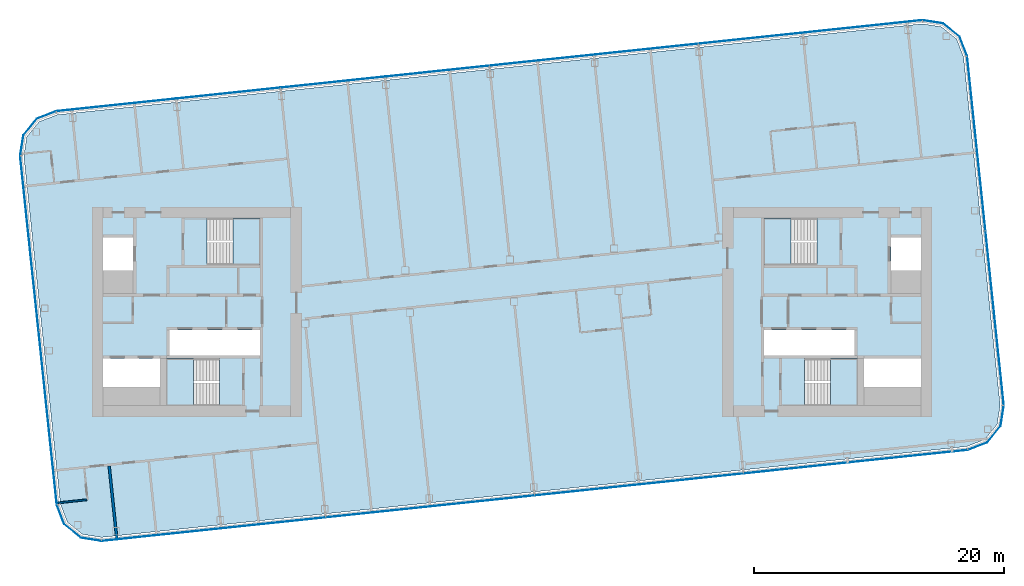
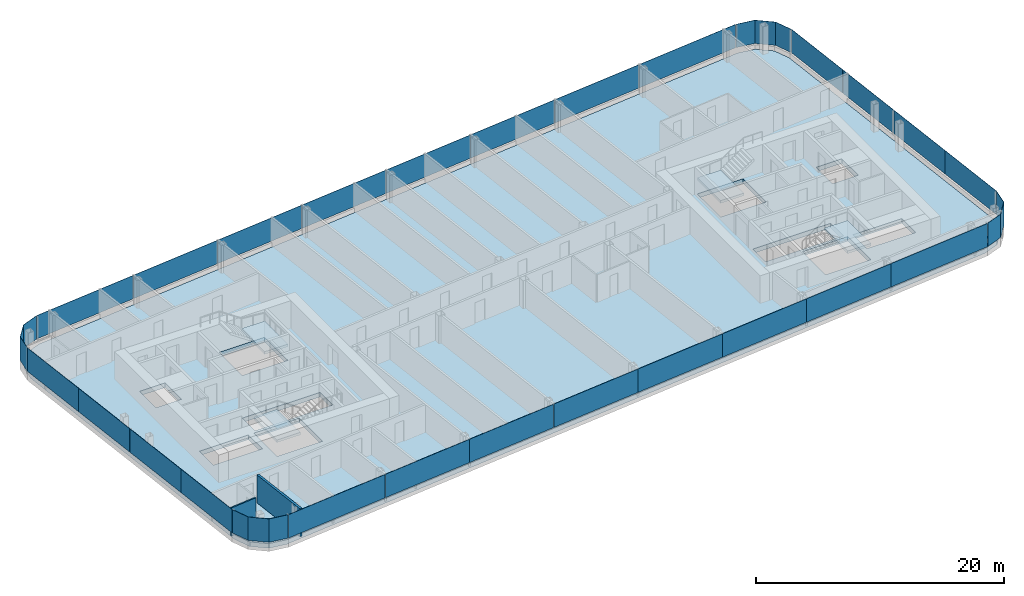
# One storey, part 13 of 27: 28 plates, 5 slabs, 2 walls, 12 elements without a shape of their own.
"""IFC4 building model written with IfcOpenShell, lengths in metres."""

from ifc_helpers import new_model, si_unit, direction, frame, frame_2d, origin, origin_2d, place, context, subcontext, project, spatial, polyline, rectangle, outline, extrude, material, layer, layer_set, type_object, element, aggregate, save


model = new_model("IFC4")

# Units and contexts
model_context = context("Model", 3, precision=1e-05, world=origin(), true_north=direction((0.0, 1.0)))
body_context = subcontext(model_context, "Body", "Model", "MODEL_VIEW")
ifc_project = project(units=[si_unit("LENGTHUNIT", "METRE"), si_unit("AREAUNIT", "SQUARE_METRE"), si_unit("VOLUMEUNIT", "CUBIC_METRE"), si_unit("PLANEANGLEUNIT", "RADIAN"), si_unit("MASSUNIT", "GRAM", prefix="KILO")], contexts=[model_context])

# Site, building, storey
site_placement = place(None, origin())
site = spatial("IfcSite", under=ifc_project, at=site_placement, CompositionType="ELEMENT")
building_placement = place(site_placement, origin())
building = spatial("IfcBuilding", under=site, at=building_placement, Name="Hakoniwa Tower and Hamabe Station Hall", CompositionType="ELEMENT")
storey_placement = place(building_placement, frame((0.0, 0.0, 239.0)))
storey = spatial("IfcBuildingStorey", under=building, at=storey_placement, Name="L67", CompositionType="ELEMENT", Elevation=239.0)

# Stair, slab
ifc_material_1 = material(Name="Concrete C40", Category="concrete")
stair_type = type_object("IfcStairType", Name="ESCAPE STAIR 1800", PredefinedType="HALF_TURN_STAIR", material=ifc_material_1)
stair_1_placement = place(storey_placement, origin())
stair_1 = element("IfcStair", 1, at=stair_1_placement, inside=storey, type_object=stair_type, Name="Escape stair ST-1 L67", PredefinedType="HALF_TURN_STAIR")
ifc_material_2 = material(Name="Concrete C40", Category="concrete")
ifc_layer_1 = layer(ifc_material_2, 0.25)
ifc_layer_set_1 = layer_set([ifc_layer_1], Name="CORE STAIR LANDING 250")
slab_type_1 = type_object("IfcSlabType", Name="CORE STAIR LANDING 250", PredefinedType="LANDING", material=ifc_layer_set_1)
slab_1_placement = place(storey_placement, frame((0.0, 0.0, 1.35009765625)))
slab_1 = element("IfcSlab", 2, at=slab_1_placement, type_object=slab_type_1, Name="ST-1 landing 1", PredefinedType="LANDING", context=body_context, shape_type="SweptSolid", body=[
    extrude(outline(polyline([(-22.320068359375, 3.75), (-20.14990234375, 3.75), (-20.14990234375, 7.5), (-22.320068359375, 7.5), (-22.320068359375, 3.75)])), origin(), (0.0, 0.0, 1.0), 0.25),
])
aggregate(stair_1, [slab_1])

stair_2_placement = place(storey_placement, origin())
stair_2 = element("IfcStair", 3, at=stair_2_placement, inside=storey, type_object=stair_type, Name="Escape stair ST-2 L67", PredefinedType="HALF_TURN_STAIR")
slab_2_placement = place(storey_placement, frame((0.0, 0.0, 1.35009765625)))
slab_2 = element("IfcSlab", 4, at=slab_2_placement, type_object=slab_type_1, Name="ST-2 landing 1", PredefinedType="LANDING", context=body_context, shape_type="SweptSolid", body=[
    extrude(outline(polyline([(-25.47998046875, -7.5), (-27.64990234375, -7.5), (-27.64990234375, -3.75), (-25.47998046875, -3.75), (-25.47998046875, -7.5)])), origin(), (0.0, 0.0, 1.0), 0.25),
])
aggregate(stair_2, [slab_2])

stair_3_placement = place(storey_placement, origin())
stair_3 = element("IfcStair", 5, at=stair_3_placement, inside=storey, type_object=stair_type, Name="Escape stair ST-3 L67", PredefinedType="HALF_TURN_STAIR")
slab_3_placement = place(storey_placement, frame((0.0, 0.0, 1.35009765625)))
slab_3 = element("IfcSlab", 6, at=slab_3_placement, type_object=slab_type_1, Name="ST-3 landing 1", PredefinedType="LANDING", context=body_context, shape_type="SweptSolid", body=[
    extrude(outline(polyline([(22.320068359375, 3.75), (20.14990234375, 3.75), (20.14990234375, 7.5), (22.320068359375, 7.5), (22.320068359375, 3.75)])), origin(), (0.0, 0.0, 1.0), 0.25),
])
aggregate(stair_3, [slab_3])

stair_4_placement = place(storey_placement, origin())
stair_4 = element("IfcStair", 7, at=stair_4_placement, inside=storey, type_object=stair_type, Name="Escape stair ST-4 L67", PredefinedType="HALF_TURN_STAIR")
slab_4_placement = place(storey_placement, frame((0.0, 0.0, 1.35009765625)))
slab_4 = element("IfcSlab", 8, at=slab_4_placement, type_object=slab_type_1, Name="ST-4 landing 1", PredefinedType="LANDING", context=body_context, shape_type="SweptSolid", body=[
    extrude(outline(polyline([(25.47998046875, -7.5), (27.64990234375, -7.5), (27.64990234375, -3.75), (25.47998046875, -3.75), (25.47998046875, -7.5)])), origin(), (0.0, 0.0, 1.0), 0.25),
])
aggregate(stair_4, [slab_4])

# Curtain wall, plates
ifc_material_3 = material(Name="Dark low-e laminated glass", Category="glass")
ifc_layer_2 = layer(ifc_material_3, 0.199951171875)
ifc_layer_set_2 = layer_set([ifc_layer_2], Name="CW-1 UNITISED GUEST")
curtain_wall_type = type_object("IfcCurtainWallType", Name="CW-1 UNITISED GUEST", PredefinedType="NOTDEFINED", material=ifc_layer_set_2)
curtain_wall_1_placement = place(storey_placement, origin())
curtain_wall_1 = element("IfcCurtainWall", 9, at=curtain_wall_1_placement, inside=storey, type_object=curtain_wall_type, Name="CW-1 curtain wall", PredefinedType="NOTDEFINED")
ifc_material_4 = material(Name="Dark low-e laminated glass", Category="glass")
ifc_layer_3 = layer(ifc_material_4, 0.028076171875)
ifc_layer_set_3 = layer_set([ifc_layer_3], Name="CW-1 GLASS UNIT")
plate_type = type_object("IfcPlateType", Name="CW-1 GLASS UNIT", PredefinedType="CURTAIN_PANEL", material=ifc_layer_set_3)
plate_1_placement = place(storey_placement, frame((38.97802734375, -3.990966796875, 0.35009765625), z_axis=(0.0, 0.0, 1.0), x_axis=(-0.104528468631, 0.994521894805, 0.0)))
plate_1 = element("IfcPlate", 10, at=plate_1_placement, type_object=plate_type, Name="CW-1 glass unit", PredefinedType="CURTAIN_PANEL", context=body_context, shape_type="SweptSolid", body=[
    extrude(rectangle(XDim=6.999755859375, YDim=0.028076171875, at=origin_2d()), origin(), (0.0, 0.0, 1.0), 2.300048828125),
])
plate_2_placement = place(storey_placement, frame((38.244140625, 2.990478515625, 0.35009765625), z_axis=(0.0, 0.0, 1.0), x_axis=(-0.104528468631, 0.994521894805, 0.0)))
plate_2 = element("IfcPlate", 11, at=plate_2_placement, type_object=plate_type, Name="CW-1 glass unit", PredefinedType="CURTAIN_PANEL", context=body_context, shape_type="SweptSolid", body=[
    extrude(rectangle(XDim=6.999755859375, YDim=0.028076171875, at=origin_2d()), origin(), (0.0, 0.0, 1.0), 2.300048828125),
])
plate_3_placement = place(storey_placement, frame((37.510498046875, 9.9716796875, 0.35009765625), z_axis=(0.0, 0.0, 1.0), x_axis=(-0.104528468631, 0.994521894805, 0.0)))
plate_3 = element("IfcPlate", 12, at=plate_3_placement, type_object=plate_type, Name="CW-1 glass unit", PredefinedType="CURTAIN_PANEL", context=body_context, shape_type="SweptSolid", body=[
    extrude(rectangle(XDim=6.999755859375, YDim=0.028076171875, at=origin_2d()), origin(), (0.0, 0.0, 1.0), 2.300048828125),
])
plate_4_placement = place(storey_placement, frame((36.776611328125, 16.953125, 0.35009765625), z_axis=(0.0, 0.0, 1.0), x_axis=(-0.104528468631, 0.994521894805, 0.0)))
plate_4 = element("IfcPlate", 13, at=plate_4_placement, type_object=plate_type, Name="CW-1 glass unit", PredefinedType="CURTAIN_PANEL", context=body_context, shape_type="SweptSolid", body=[
    extrude(rectangle(XDim=6.999755859375, YDim=0.028076171875, at=origin_2d()), origin(), (0.0, 0.0, 1.0), 2.300048828125),
])
aggregate(curtain_wall_1, [plate_1, plate_2, plate_3, plate_4])

# Curtain wall, plate
curtain_wall_2_placement = place(storey_placement, origin())
curtain_wall_2 = element("IfcCurtainWall", 14, at=curtain_wall_2_placement, inside=storey, type_object=curtain_wall_type, Name="CW-1 curtain wall", PredefinedType="NOTDEFINED")
plate_5_placement = place(storey_placement, frame((0.0, 0.0, 0.35009765625)))
plate_5 = element("IfcPlate", 15, at=plate_5_placement, type_object=plate_type, Name="CW-1 curved corner unit", PredefinedType="CURTAIN_PANEL", context=body_context, shape_type="SweptSolid", body=[
    extrude(outline(polyline([(36.409423828125, 20.482421875), (35.82421875, 22.0068359375), (34.492431640625, 23.085205078125), (32.8798828125, 23.340576171875), (32.87548828125, 23.31298828125), (34.480712890625, 23.058837890625), (35.80078125, 21.98974609375), (36.38330078125, 20.472412109375), (36.409423828125, 20.482421875)])), origin(), (0.0, 0.0, 1.0), 2.2998046875),
])
aggregate(curtain_wall_2, [plate_5])

# Curtain wall, plates
curtain_wall_3_placement = place(storey_placement, origin())
curtain_wall_3 = element("IfcCurtainWall", 16, at=curtain_wall_3_placement, inside=storey, type_object=curtain_wall_type, Name="CW-1 curtain wall", PredefinedType="NOTDEFINED")
plate_6_placement = place(storey_placement, frame((28.04833984375, 22.829345703125, 0.35009765625), z_axis=(0.0, 0.0, 1.0), x_axis=(-0.994521895272, -0.104528464188, 0.0)))
plate_6 = element("IfcPlate", 17, at=plate_6_placement, type_object=plate_type, Name="CW-1 glass unit", PredefinedType="CURTAIN_PANEL", context=body_context, shape_type="SweptSolid", body=[
    extrude(rectangle(XDim=9.619384765625, YDim=0.028076171875, at=origin_2d()), origin(), (0.0, 0.0, 1.0), 2.300048828125),
])
plate_7_placement = place(storey_placement, frame((19.078125, 21.886474609375, 0.35009765625), z_axis=(0.0, 0.0, 1.0), x_axis=(-0.994521895272, -0.104528464188, 0.0)))
plate_7 = element("IfcPlate", 18, at=plate_7_placement, type_object=plate_type, Name="CW-1 glass unit", PredefinedType="CURTAIN_PANEL", context=body_context, shape_type="SweptSolid", body=[
    extrude(rectangle(XDim=8.3798828125, YDim=0.028076171875, at=origin_2d()), origin(), (0.0, 0.0, 1.0), 2.300048828125),
])
plate_8_placement = place(storey_placement, frame((10.72412109375, 21.00830078125, 0.35009765625), z_axis=(0.0, 0.0, 1.0), x_axis=(-0.994521895272, -0.104528464188, 0.0)))
plate_8 = element("IfcPlate", 19, at=plate_8_placement, type_object=plate_type, Name="CW-1 glass unit", PredefinedType="CURTAIN_PANEL", context=body_context, shape_type="SweptSolid", body=[
    extrude(rectangle(XDim=8.3798828125, YDim=0.028076171875, at=origin_2d()), origin(), (0.0, 0.0, 1.0), 2.300048828125),
])
plate_9_placement = place(storey_placement, frame((2.3701171875, 20.13037109375, 0.35009765625), z_axis=(0.0, 0.0, 1.0), x_axis=(-0.994521895272, -0.104528464188, 0.0)))
plate_9 = element("IfcPlate", 20, at=plate_9_placement, type_object=plate_type, Name="CW-1 glass unit", PredefinedType="CURTAIN_PANEL", context=body_context, shape_type="SweptSolid", body=[
    extrude(rectangle(XDim=8.3798828125, YDim=0.028076171875, at=origin_2d()), origin(), (0.0, 0.0, 1.0), 2.300048828125),
])
plate_10_placement = place(storey_placement, frame((-5.98388671875, 19.252197265625, 0.35009765625), z_axis=(0.0, 0.0, 1.0), x_axis=(-0.994521895272, -0.104528464188, 0.0)))
plate_10 = element("IfcPlate", 21, at=plate_10_placement, type_object=plate_type, Name="CW-1 glass unit", PredefinedType="CURTAIN_PANEL", context=body_context, shape_type="SweptSolid", body=[
    extrude(rectangle(XDim=8.3798828125, YDim=0.028076171875, at=origin_2d()), origin(), (0.0, 0.0, 1.0), 2.300048828125),
])
plate_11_placement = place(storey_placement, frame((-14.337890625, 18.374267578125, 0.35009765625), z_axis=(0.0, 0.0, 1.0), x_axis=(-0.994521895272, -0.104528464188, 0.0)))
plate_11 = element("IfcPlate", 22, at=plate_11_placement, type_object=plate_type, Name="CW-1 glass unit", PredefinedType="CURTAIN_PANEL", context=body_context, shape_type="SweptSolid", body=[
    extrude(rectangle(XDim=8.3798828125, YDim=0.028076171875, at=origin_2d()), origin(), (0.0, 0.0, 1.0), 2.300048828125),
])
plate_12_placement = place(storey_placement, frame((-22.69189453125, 17.49609375, 0.35009765625), z_axis=(0.0, 0.0, 1.0), x_axis=(-0.994521895272, -0.104528464188, 0.0)))
plate_12 = element("IfcPlate", 23, at=plate_12_placement, type_object=plate_type, Name="CW-1 glass unit", PredefinedType="CURTAIN_PANEL", context=body_context, shape_type="SweptSolid", body=[
    extrude(rectangle(XDim=8.3798828125, YDim=0.028076171875, at=origin_2d()), origin(), (0.0, 0.0, 1.0), 2.300048828125),
])
plate_13_placement = place(storey_placement, frame((-31.662109375, 16.553466796875, 0.35009765625), z_axis=(0.0, 0.0, 1.0), x_axis=(-0.994521895272, -0.104528464188, 0.0)))
plate_13 = element("IfcPlate", 24, at=plate_13_placement, type_object=plate_type, Name="CW-1 glass unit", PredefinedType="CURTAIN_PANEL", context=body_context, shape_type="SweptSolid", body=[
    extrude(rectangle(XDim=9.619384765625, YDim=0.028076171875, at=origin_2d()), origin(), (0.0, 0.0, 1.0), 2.300048828125),
])
aggregate(curtain_wall_3, [plate_6, plate_7, plate_8, plate_9, plate_10, plate_11, plate_12, plate_13])

# Curtain wall, plate
curtain_wall_4_placement = place(storey_placement, origin())
curtain_wall_4 = element("IfcCurtainWall", 25, at=curtain_wall_4_placement, inside=storey, type_object=curtain_wall_type, Name="CW-1 curtain wall", PredefinedType="NOTDEFINED")
plate_14_placement = place(storey_placement, frame((0.0, 0.0, 0.35009765625)))
plate_14 = element("IfcPlate", 26, at=plate_14_placement, type_object=plate_type, Name="CW-1 curved corner unit", PredefinedType="CURTAIN_PANEL", context=body_context, shape_type="SweptSolid", body=[
    extrude(outline(polyline([(-36.494384765625, 16.049072265625), (-38.0185546875, 15.464111328125), (-39.09716796875, 14.13232421875), (-39.3525390625, 12.51953125), (-39.324951171875, 12.51513671875), (-39.070556640625, 14.120361328125), (-38.001708984375, 15.440673828125), (-36.484375, 16.02294921875), (-36.494384765625, 16.049072265625)])), origin(), (0.0, 0.0, 1.0), 2.2998046875),
])
aggregate(curtain_wall_4, [plate_14])

# Curtain wall, plates
curtain_wall_5_placement = place(storey_placement, origin())
curtain_wall_5 = element("IfcCurtainWall", 27, at=curtain_wall_5_placement, inside=storey, type_object=curtain_wall_type, Name="CW-1 curtain wall", PredefinedType="NOTDEFINED")
plate_15_placement = place(storey_placement, frame((-38.97802734375, 8.990966796875, 0.35009765625), z_axis=(0.0, 0.0, 1.0), x_axis=(0.104528468631, -0.994521894805, 0.0)))
plate_15 = element("IfcPlate", 28, at=plate_15_placement, type_object=plate_type, Name="CW-1 glass unit", PredefinedType="CURTAIN_PANEL", context=body_context, shape_type="SweptSolid", body=[
    extrude(rectangle(XDim=6.999755859375, YDim=0.028076171875, at=origin_2d()), origin(), (0.0, 0.0, 1.0), 2.300048828125),
])
plate_16_placement = place(storey_placement, frame((-38.244140625, 2.009521484375, 0.35009765625), z_axis=(0.0, 0.0, 1.0), x_axis=(0.104528468631, -0.994521894805, 0.0)))
plate_16 = element("IfcPlate", 29, at=plate_16_placement, type_object=plate_type, Name="CW-1 glass unit", PredefinedType="CURTAIN_PANEL", context=body_context, shape_type="SweptSolid", body=[
    extrude(rectangle(XDim=6.999755859375, YDim=0.028076171875, at=origin_2d()), origin(), (0.0, 0.0, 1.0), 2.300048828125),
])
plate_17_placement = place(storey_placement, frame((-37.510498046875, -4.9716796875, 0.35009765625), z_axis=(0.0, 0.0, 1.0), x_axis=(0.104528468631, -0.994521894805, 0.0)))
plate_17 = element("IfcPlate", 30, at=plate_17_placement, type_object=plate_type, Name="CW-1 glass unit", PredefinedType="CURTAIN_PANEL", context=body_context, shape_type="SweptSolid", body=[
    extrude(rectangle(XDim=6.999755859375, YDim=0.028076171875, at=origin_2d()), origin(), (0.0, 0.0, 1.0), 2.300048828125),
])
plate_18_placement = place(storey_placement, frame((-36.776611328125, -11.953125, 0.35009765625), z_axis=(0.0, 0.0, 1.0), x_axis=(0.104528468631, -0.994521894805, 0.0)))
plate_18 = element("IfcPlate", 31, at=plate_18_placement, type_object=plate_type, Name="CW-1 glass unit", PredefinedType="CURTAIN_PANEL", context=body_context, shape_type="SweptSolid", body=[
    extrude(rectangle(XDim=6.999755859375, YDim=0.028076171875, at=origin_2d()), origin(), (0.0, 0.0, 1.0), 2.300048828125),
])
aggregate(curtain_wall_5, [plate_15, plate_16, plate_17, plate_18])

# Curtain wall, plate
curtain_wall_6_placement = place(storey_placement, origin())
curtain_wall_6 = element("IfcCurtainWall", 32, at=curtain_wall_6_placement, inside=storey, type_object=curtain_wall_type, Name="CW-1 curtain wall", PredefinedType="NOTDEFINED")
plate_19_placement = place(storey_placement, frame((0.0, 0.0, 0.35009765625)))
plate_19 = element("IfcPlate", 33, at=plate_19_placement, type_object=plate_type, Name="CW-1 curved corner unit", PredefinedType="CURTAIN_PANEL", context=body_context, shape_type="SweptSolid", body=[
    extrude(outline(polyline([(-36.409423828125, -15.482421875), (-35.82421875, -17.0068359375), (-34.492431640625, -18.085205078125), (-32.8798828125, -18.340576171875), (-32.87548828125, -18.31298828125), (-34.480712890625, -18.058837890625), (-35.80078125, -16.98974609375), (-36.38330078125, -15.472412109375), (-36.409423828125, -15.482421875)])), origin(), (0.0, 0.0, 1.0), 2.2998046875),
])
aggregate(curtain_wall_6, [plate_19])

# Curtain wall, plates
curtain_wall_7_placement = place(storey_placement, origin())
curtain_wall_7 = element("IfcCurtainWall", 34, at=curtain_wall_7_placement, inside=storey, type_object=curtain_wall_type, Name="CW-1 curtain wall", PredefinedType="NOTDEFINED")
plate_20_placement = place(storey_placement, frame((-28.04833984375, -17.829345703125, 0.35009765625), z_axis=(0.0, 0.0, 1.0), x_axis=(0.994521895272, 0.104528464188, 0.0)))
plate_20 = element("IfcPlate", 35, at=plate_20_placement, type_object=plate_type, Name="CW-1 glass unit", PredefinedType="CURTAIN_PANEL", context=body_context, shape_type="SweptSolid", body=[
    extrude(rectangle(XDim=9.619384765625, YDim=0.028076171875, at=origin_2d()), origin(), (0.0, 0.0, 1.0), 2.300048828125),
])
plate_21_placement = place(storey_placement, frame((-19.078125, -16.886474609375, 0.35009765625), z_axis=(0.0, 0.0, 1.0), x_axis=(0.994521895272, 0.104528464188, 0.0)))
plate_21 = element("IfcPlate", 36, at=plate_21_placement, type_object=plate_type, Name="CW-1 glass unit", PredefinedType="CURTAIN_PANEL", context=body_context, shape_type="SweptSolid", body=[
    extrude(rectangle(XDim=8.3798828125, YDim=0.028076171875, at=origin_2d()), origin(), (0.0, 0.0, 1.0), 2.300048828125),
])
plate_22_placement = place(storey_placement, frame((-10.72412109375, -16.00830078125, 0.35009765625), z_axis=(0.0, 0.0, 1.0), x_axis=(0.994521895272, 0.104528464188, 0.0)))
plate_22 = element("IfcPlate", 37, at=plate_22_placement, type_object=plate_type, Name="CW-1 glass unit", PredefinedType="CURTAIN_PANEL", context=body_context, shape_type="SweptSolid", body=[
    extrude(rectangle(XDim=8.3798828125, YDim=0.028076171875, at=origin_2d()), origin(), (0.0, 0.0, 1.0), 2.300048828125),
])
plate_23_placement = place(storey_placement, frame((-2.3701171875, -15.13037109375, 0.35009765625), z_axis=(0.0, 0.0, 1.0), x_axis=(0.994521895272, 0.104528464188, 0.0)))
plate_23 = element("IfcPlate", 38, at=plate_23_placement, type_object=plate_type, Name="CW-1 glass unit", PredefinedType="CURTAIN_PANEL", context=body_context, shape_type="SweptSolid", body=[
    extrude(rectangle(XDim=8.3798828125, YDim=0.028076171875, at=origin_2d()), origin(), (0.0, 0.0, 1.0), 2.300048828125),
])
plate_24_placement = place(storey_placement, frame((5.98388671875, -14.252197265625, 0.35009765625), z_axis=(0.0, 0.0, 1.0), x_axis=(0.994521895272, 0.104528464188, 0.0)))
plate_24 = element("IfcPlate", 39, at=plate_24_placement, type_object=plate_type, Name="CW-1 glass unit", PredefinedType="CURTAIN_PANEL", context=body_context, shape_type="SweptSolid", body=[
    extrude(rectangle(XDim=8.3798828125, YDim=0.028076171875, at=origin_2d()), origin(), (0.0, 0.0, 1.0), 2.300048828125),
])
plate_25_placement = place(storey_placement, frame((14.337890625, -13.374267578125, 0.35009765625), z_axis=(0.0, 0.0, 1.0), x_axis=(0.994521895272, 0.104528464188, 0.0)))
plate_25 = element("IfcPlate", 40, at=plate_25_placement, type_object=plate_type, Name="CW-1 glass unit", PredefinedType="CURTAIN_PANEL", context=body_context, shape_type="SweptSolid", body=[
    extrude(rectangle(XDim=8.3798828125, YDim=0.028076171875, at=origin_2d()), origin(), (0.0, 0.0, 1.0), 2.300048828125),
])
plate_26_placement = place(storey_placement, frame((22.69189453125, -12.49609375, 0.35009765625), z_axis=(0.0, 0.0, 1.0), x_axis=(0.994521895272, 0.104528464188, 0.0)))
plate_26 = element("IfcPlate", 41, at=plate_26_placement, type_object=plate_type, Name="CW-1 glass unit", PredefinedType="CURTAIN_PANEL", context=body_context, shape_type="SweptSolid", body=[
    extrude(rectangle(XDim=8.3798828125, YDim=0.028076171875, at=origin_2d()), origin(), (0.0, 0.0, 1.0), 2.300048828125),
])
plate_27_placement = place(storey_placement, frame((31.662109375, -11.553466796875, 0.35009765625), z_axis=(0.0, 0.0, 1.0), x_axis=(0.994521895272, 0.104528464188, 0.0)))
plate_27 = element("IfcPlate", 42, at=plate_27_placement, type_object=plate_type, Name="CW-1 glass unit", PredefinedType="CURTAIN_PANEL", context=body_context, shape_type="SweptSolid", body=[
    extrude(rectangle(XDim=9.619384765625, YDim=0.028076171875, at=origin_2d()), origin(), (0.0, 0.0, 1.0), 2.300048828125),
])
aggregate(curtain_wall_7, [plate_20, plate_21, plate_22, plate_23, plate_24, plate_25, plate_26, plate_27])

# Curtain wall, plate
curtain_wall_8_placement = place(storey_placement, origin())
curtain_wall_8 = element("IfcCurtainWall", 43, at=curtain_wall_8_placement, inside=storey, type_object=curtain_wall_type, Name="CW-1 curtain wall", PredefinedType="NOTDEFINED")
plate_28_placement = place(storey_placement, frame((0.0, 0.0, 0.35009765625)))
plate_28 = element("IfcPlate", 44, at=plate_28_placement, type_object=plate_type, Name="CW-1 curved corner unit", PredefinedType="CURTAIN_PANEL", context=body_context, shape_type="SweptSolid", body=[
    extrude(outline(polyline([(36.494384765625, -11.049072265625), (38.0185546875, -10.464111328125), (39.09716796875, -9.13232421875), (39.3525390625, -7.51953125), (39.324951171875, -7.51513671875), (39.070556640625, -9.120361328125), (38.001708984375, -10.440673828125), (36.484375, -11.02294921875), (36.494384765625, -11.049072265625)])), origin(), (0.0, 0.0, 1.0), 2.2998046875),
])
aggregate(curtain_wall_8, [plate_28])

# Slab
ifc_material_5 = material(Name="Concrete C42", Category="concrete")
ifc_layer_4 = layer(ifc_material_5, 0.449951171875)
ifc_layer_set_4 = layer_set([ifc_layer_4], Name="PT FLAT PLATE 450")
slab_type_2 = type_object("IfcSlabType", Name="PT FLAT PLATE 450", PredefinedType="FLOOR", material=ifc_layer_set_4)
slab_5_placement = place(storey_placement, frame((0.0, 0.0, -0.449951171875)))
element("IfcSlab", 45, at=slab_5_placement, inside=storey, type_object=slab_type_2, Name="Floor slab L67", PredefinedType="FLOOR", context=body_context, shape_type="SweptSolid", body=[
    extrude(outline(polyline([(39.056396484375, -7.47216796875), (36.12939453125, 20.37451171875), (35.572998046875, 21.82421875), (34.3662109375, 22.801513671875), (32.83251953125, 23.04443359375), (-36.38623046875, 15.769287109375), (-37.836181640625, 15.212890625), (-38.8134765625, 14.005859375), (-39.056396484375, 12.47216796875), (-36.12939453125, -15.37451171875), (-35.572998046875, -16.82421875), (-34.3662109375, -17.801513671875), (-32.83251953125, -18.04443359375), (36.38623046875, -10.769287109375), (37.836181640625, -10.212890625), (38.8134765625, -9.005859375), (39.056396484375, -7.47216796875)]), holes=[polyline([(-27.39990234375, -3.5), (-27.39990234375, -1.449951171875), (-20.14990234375, -1.449951171875), (-20.14990234375, -3.5), (-27.39990234375, -3.5)]), polyline([(-32.699951171875, 3.300048828125), (-32.699951171875, 5.949951171875), (-30.300048828125, 5.949951171875), (-30.300048828125, 3.300048828125), (-32.699951171875, 3.300048828125)]), polyline([(-32.699951171875, -6.0), (-32.699951171875, -3.75), (-28.14990234375, -3.75), (-28.14990234375, -6.0), (-32.699951171875, -6.0)]), polyline([(-24.389892578125, 3.75), (-24.389892578125, 7.5), (-20.14990234375, 7.5), (-20.14990234375, 3.75), (-24.389892578125, 3.75)]), polyline([(-27.64990234375, -7.5), (-27.64990234375, -3.75), (-23.409912109375, -3.75), (-23.409912109375, -7.5), (-27.64990234375, -7.5)]), polyline([(20.14990234375, -3.5), (20.14990234375, -1.449951171875), (27.39990234375, -1.449951171875), (27.39990234375, -3.5), (20.14990234375, -3.5)]), polyline([(30.300048828125, 3.300048828125), (30.300048828125, 5.949951171875), (32.699951171875, 5.949951171875), (32.699951171875, 3.300048828125), (30.300048828125, 3.300048828125)]), polyline([(28.14990234375, -6.0), (28.14990234375, -3.75), (32.699951171875, -3.75), (32.699951171875, -6.0), (28.14990234375, -6.0)]), polyline([(20.14990234375, 3.75), (20.14990234375, 7.5), (24.389892578125, 7.5), (24.389892578125, 3.75), (20.14990234375, 3.75)]), polyline([(23.409912109375, -7.5), (23.409912109375, -3.75), (27.64990234375, -3.75), (27.64990234375, -7.5), (23.409912109375, -7.5)])]), origin(), (0.0, 0.0, 1.0), 0.449951171875),
])

# Walls
ifc_material_6 = material(Name="Gypsum board partition", Category="gypsum")
ifc_layer_5 = layer(ifc_material_6, 0.125)
ifc_layer_set_5 = layer_set([ifc_layer_5], Name="Bathroom Partition 125")
wall_type_1 = type_object("IfcWallType", Name="Bathroom Partition 125", PredefinedType="PARTITIONING", material=ifc_layer_set_5)
wall_1_placement = place(storey_placement, frame((-36.43994140625, -15.290771484375, 0.0), z_axis=(0.0, 0.0, 1.0), x_axis=(0.994517520739, 0.10457007671, 0.0)))
element("IfcWall", 46, at=wall_1_placement, inside=storey, type_object=wall_type_1, Name="GW-L67-002", PredefinedType="PARTITIONING", context=body_context, shape_type="SweptSolid", body=[
    extrude(rectangle(XDim=2.4375, YDim=0.125, at=frame_2d((1.21875, 0.0))), origin(), (0.0, 0.0, 1.0), 2.75),
])
ifc_material_7 = material(Name="Fire-rated gypsum board partition", Category="gypsum")
ifc_layer_6 = layer(ifc_material_7, 0.199951171875)
ifc_layer_set_6 = layer_set([ifc_layer_6], Name="Party Wall 200")
wall_type_2 = type_object("IfcWallType", Name="Party Wall 200", PredefinedType="PARTITIONING", material=ifc_layer_set_6)
wall_2_placement = place(storey_placement, frame((-31.607666015625, -18.21728515625, 0.0), z_axis=(0.0, 0.0, 1.0), x_axis=(-0.10453655107, 0.994521045273, 0.0)))
element("IfcWall", 47, at=wall_2_placement, inside=storey, type_object=wall_type_2, Name="GW-L67-014", PredefinedType="PARTITIONING", context=body_context, shape_type="SweptSolid", body=[
    extrude(rectangle(XDim=5.915771484375, YDim=0.199951171875, at=frame_2d((2.9580078125, 0.0))), origin(), (0.0, 0.0, 1.0), 2.75),
])

save(model, "model.ifc")
